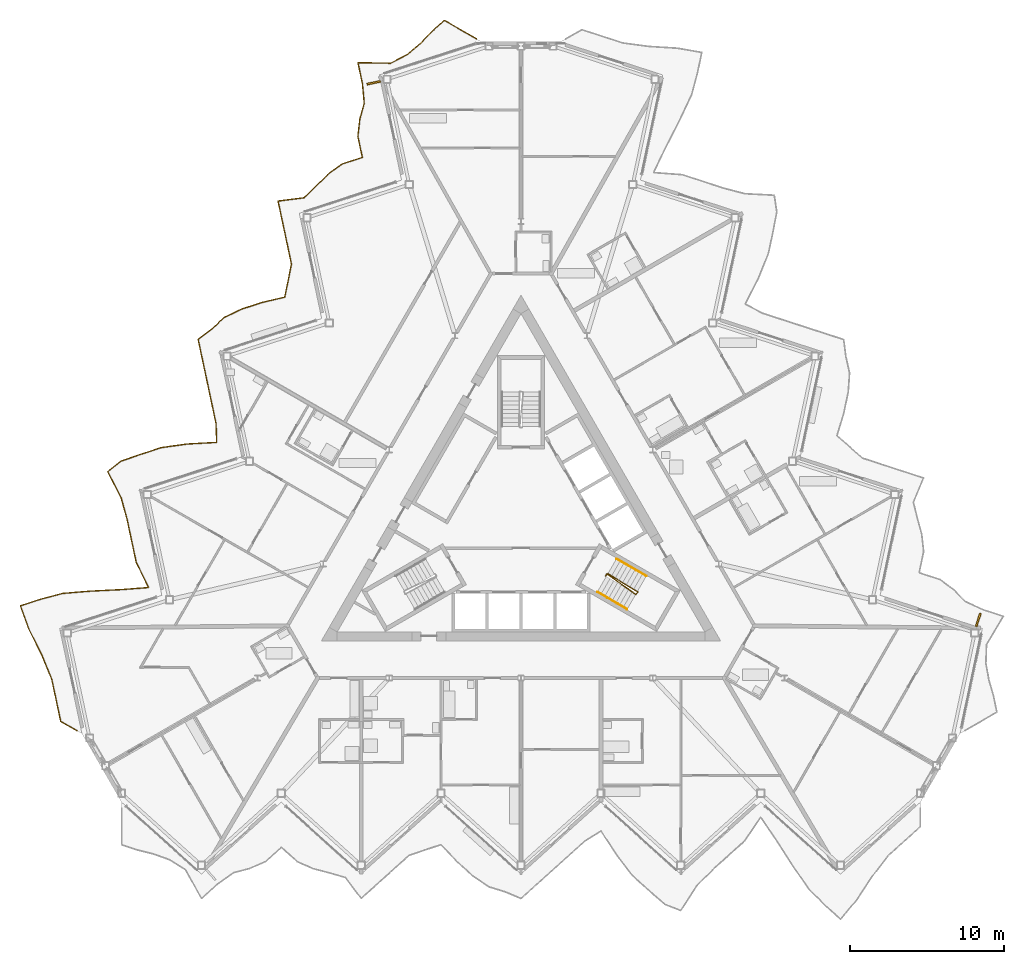
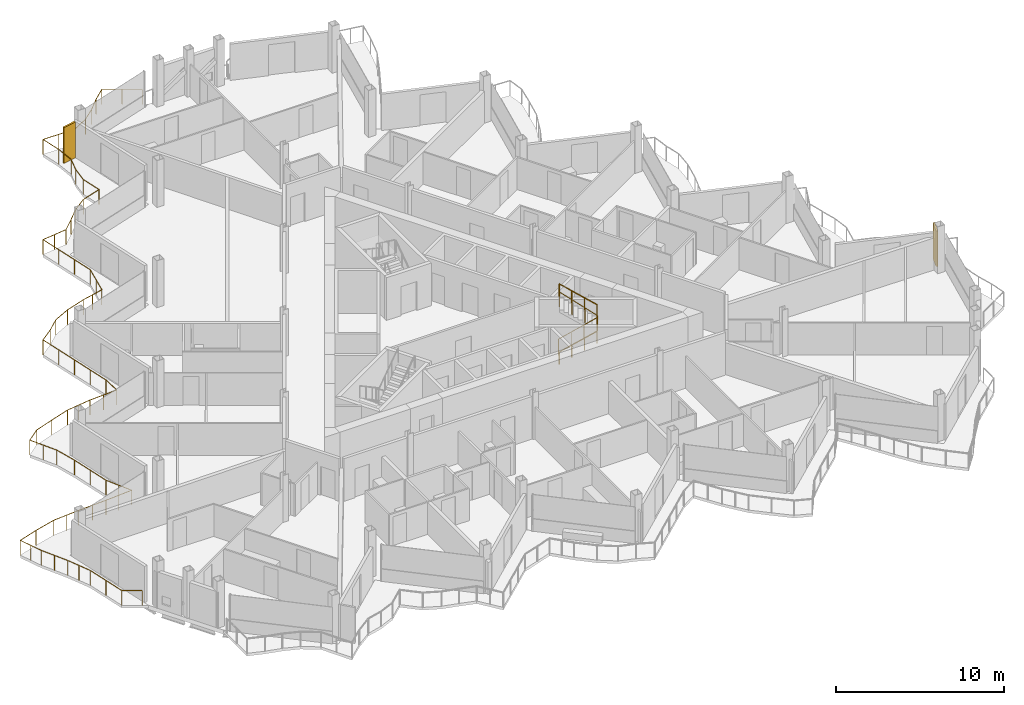
# One storey, part 23 of 26: 4 railings, 2 shading devices.
"""IFC4 building model written with IfcOpenShell, lengths in metres."""

from ifc_helpers import new_model, si_unit, direction, frame, origin, origin_2d, place, context, subcontext, project, spatial, rectangle, circle, extrude, material, layer, layer_set, type_object, element, save


model = new_model("IFC4")

# Units and contexts
model_context = context("Model", 3, precision=1e-05, world=origin(), true_north=direction((0.0, 1.0)))
body_context = subcontext(model_context, "Body", "Model", "MODEL_VIEW")
ifc_project = project(units=[si_unit("LENGTHUNIT", "METRE"), si_unit("AREAUNIT", "SQUARE_METRE"), si_unit("VOLUMEUNIT", "CUBIC_METRE"), si_unit("PLANEANGLEUNIT", "RADIAN"), si_unit("MASSUNIT", "GRAM", prefix="KILO")], contexts=[model_context])

# Site, building, storey
site_placement = place(None, origin())
site = spatial("IfcSite", under=ifc_project, at=site_placement, CompositionType="ELEMENT")
building_placement = place(site_placement, origin())
building = spatial("IfcBuilding", under=site, at=building_placement, Name="Cormorant Prow Tower", CompositionType="ELEMENT")
storey_placement = place(building_placement, frame((0.0, 0.0, 371.199951171875)))
storey = spatial("IfcBuildingStorey", under=building, at=storey_placement, Name="L83", CompositionType="ELEMENT", Elevation=371.199951171875)

# Railings
ifc_material_1 = material(Name="Aluminium 6063-T6", Category="aluminium")
railing_type_1 = type_object("IfcRailingType", Name="Balcony guard 1100", PredefinedType="GUARDRAIL", material=ifc_material_1)
railing_1_placement = place(storey_placement, frame((-2.9033203125, 31.698486328125, 0.0)))
element("IfcRailing", 1, at=railing_1_placement, inside=storey, type_object=railing_type_1, Name="Balcony guard WNW", PredefinedType="GUARDRAIL", context=body_context, shape_type="SweptSolid", body=[
    extrude(circle(Radius=0.02392578125, at=origin_2d()), frame((0.0, 0.0, 1.076171875), z_axis=(-0.866028295127, 0.499994992015, 0.0), x_axis=(-0.499994992015, -0.866028295127, 0.0)), (0.0, 0.0, 1.0), 2.40380859375),
    extrude(circle(Radius=0.02392578125, at=origin_2d()), frame((-2.081787109375, 1.201904296875, 1.076171875), z_axis=(-0.747028027556, -0.664792543615, 0.0), x_axis=(0.664792543615, -0.747028027556, 0.0)), (0.0, 0.0, 1.0), 1.095458984375),
    extrude(circle(Radius=0.02392578125, at=origin_2d()), frame((-2.900146484375, 0.4736328125, 1.076171875), z_axis=(-0.694236727025, -0.719746737992, 0.0), x_axis=(0.719746737992, -0.694236727025, 0.0)), (0.0, 0.0, 1.0), 1.07177734375),
    extrude(circle(Radius=0.02392578125, at=origin_2d()), frame((-3.644287109375, -0.2978515625, 1.076171875), z_axis=(-0.76253887215, -0.646942399647, 0.0), x_axis=(0.646942399647, -0.76253887215, 0.0)), (0.0, 0.0, 1.0), 1.1044921875),
    extrude(circle(Radius=0.02392578125, at=origin_2d()), frame((-4.486572265625, -1.012451171875, 1.076171875), z_axis=(-0.883594298779, -0.468253259641, 0.0), x_axis=(0.468253259641, -0.883594298779, 0.0)), (0.0, 0.0, 1.0), 1.227294921875),
    extrude(circle(Radius=0.02392578125, at=origin_2d()), frame((-5.571044921875, -1.587158203125, 1.076171875), z_axis=(-0.999868822817, 0.016196825558, 0.0), x_axis=(-0.016196825558, -0.999868822817, 0.0)), (0.0, 0.0, 1.0), 2.140380859375),
    extrude(circle(Radius=0.02392578125, at=origin_2d()), frame((-7.711181640625, -1.552490234375, 1.076171875), z_axis=(0.207812845083, -0.978168605823, 0.0), x_axis=(0.978168605823, 0.207812845083, 0.0)), (0.0, 0.0, 1.0), 1.399169921875),
    extrude(circle(Radius=0.02392578125, at=origin_2d()), frame((-7.42041015625, -2.921142578125, 1.076171875), z_axis=(0.092331865251, -0.995728289575, 0.0), x_axis=(0.995728289575, 0.092331865251, 0.0)), (0.0, 0.0, 1.0), 1.2744140625),
    extrude(circle(Radius=0.02392578125, at=origin_2d()), frame((-7.302734375, -4.190185546875, 1.076171875), z_axis=(-0.265615902579, -0.964078934682, 0.0), x_axis=(0.964078934682, -0.265615902579, 0.0)), (0.0, 0.0, 1.0), 1.074462890625),
    extrude(circle(Radius=0.02392578125, at=origin_2d()), frame((-7.588134765625, -5.22607421875, 1.076171875), z_axis=(-0.113242992784, -0.993567322624, 0.0), x_axis=(0.993567322624, -0.113242992784, 0.0)), (0.0, 0.0, 1.0), 1.134033203125),
    extrude(circle(Radius=0.02392578125, at=origin_2d()), frame((-7.716552734375, -6.352783203125, 1.076171875), z_axis=(0.207944297815, -0.978140669335, 0.0), x_axis=(0.978140669335, 0.207944297815, 0.0)), (0.0, 0.0, 1.0), 1.3994140625),
    extrude(circle(Radius=0.02392578125, at=origin_2d()), frame((-7.425537109375, -7.7216796875, 1.076171875), z_axis=(-0.951028941009, -0.309101849499, 0.0), x_axis=(0.309101849499, -0.951028941009, 0.0)), (0.0, 0.0, 1.0), 1.399658203125),
    extrude(circle(Radius=0.02392578125, at=origin_2d()), frame((-8.756591796875, -8.154296875, 1.076171875), z_axis=(-0.806097358344, -0.591782940672, 0.0), x_axis=(0.591782940672, -0.806097358344, 0.0)), (0.0, 0.0, 1.0), 1.1357421875),
    extrude(circle(Radius=0.02392578125, at=origin_2d()), frame((-9.672119140625, -8.826416015625, 1.076171875), z_axis=(-0.70254935374, -0.711635022718, 0.0), x_axis=(0.711635022718, -0.70254935374, 0.0)), (0.0, 0.0, 1.0), 1.074951171875),
    extrude(circle(Radius=0.02392578125, at=origin_2d()), frame((-10.42724609375, -9.59130859375, 1.076171875), z_axis=(-0.720069694102, -0.693901747825, 0.0), x_axis=(0.693901747825, -0.720069694102, 0.0)), (0.0, 0.0, 1.0), 1.082275390625),
    extrude(circle(Radius=0.02392578125, at=origin_2d()), frame((-11.20654296875, -10.34228515625, 1.076171875), z_axis=(-0.992011169579, -0.126150067104, 0.0), x_axis=(0.126150067104, -0.992011169579, 0.0)), (0.0, 0.0, 1.0), 1.718505859375),
    extrude(circle(Radius=0.02392578125, at=origin_2d()), frame((-12.911376953125, -10.55908203125, 1.076171875), z_axis=(0.207944297815, -0.978140669335, 0.0), x_axis=(0.978140669335, 0.207944297815, 0.0)), (0.0, 0.0, 1.0), 1.3994140625),
    extrude(circle(Radius=0.02392578125, at=origin_2d()), frame((-12.620361328125, -11.927978515625, 1.076171875), z_axis=(0.207944297815, -0.978140669335, 0.0), x_axis=(0.978140669335, 0.207944297815, 0.0)), (0.0, 0.0, 1.0), 1.3994140625),
    extrude(circle(Radius=0.02392578125, at=origin_2d()), frame((-12.329345703125, -13.296875, 1.076171875), z_axis=(0.207944297815, -0.978140669335, 0.0), x_axis=(0.978140669335, 0.207944297815, 0.0)), (0.0, 0.0, 1.0), 1.3994140625),
    extrude(circle(Radius=0.02392578125, at=origin_2d()), frame((-12.038330078125, -14.665771484375, 1.076171875), z_axis=(-0.198084601459, -0.980184926769, 0.0), x_axis=(0.980184926769, -0.198084601459, 0.0)), (0.0, 0.0, 1.0), 1.096923828125),
    extrude(circle(Radius=0.02392578125, at=origin_2d()), frame((-12.255615234375, -15.740966796875, 1.076171875), z_axis=(-0.203482527061, -0.979078577633, 0.0), x_axis=(0.979078577633, -0.203482527061, 0.0)), (0.0, 0.0, 1.0), 1.095458984375),
    extrude(circle(Radius=0.02392578125, at=origin_2d()), frame((-12.478515625, -16.8134765625, 1.076171875), z_axis=(-0.973469863135, -0.228815265154, 0.0), x_axis=(0.228815265154, -0.973469863135, 0.0)), (0.0, 0.0, 1.0), 1.518310546875),
    extrude(circle(Radius=0.02392578125, at=origin_2d()), frame((-13.95654296875, -17.160888671875, 1.076171875), z_axis=(-0.951080208938, -0.308944066403, 0.0), x_axis=(0.308944066403, -0.951080208938, 0.0)), (0.0, 0.0, 1.0), 1.3994140625),
    extrude(circle(Radius=0.02392578125, at=origin_2d()), frame((-15.28759765625, -17.59326171875, 1.076171875), z_axis=(-0.899160631428, -0.437618736905, 0.0), x_axis=(0.437618736905, -0.899160631428, 0.0)), (0.0, 0.0, 1.0), 1.255126953125),
    extrude(circle(Radius=0.02392578125, at=origin_2d()), frame((-16.416259765625, -18.142578125, 1.076171875), z_axis=(-0.733719269068, -0.679452746111, 0.0), x_axis=(0.679452746111, -0.733719269068, 0.0)), (0.0, 0.0, 1.0), 1.088623046875),
    extrude(circle(Radius=0.02392578125, at=origin_2d()), frame((-17.215087890625, -18.88232421875, 1.076171875), z_axis=(-0.795217846059, -0.606323822152, 0.0), x_axis=(0.606323822152, -0.795217846059, 0.0)), (0.0, 0.0, 1.0), 1.126953125),
    extrude(circle(Radius=0.02392578125, at=origin_2d()), frame((-18.111328125, -19.565673828125, 1.076171875), z_axis=(0.207944297815, -0.978140669335, 0.0), x_axis=(0.978140669335, 0.207944297815, 0.0)), (0.0, 0.0, 1.0), 1.3994140625),
    extrude(circle(Radius=0.02392578125, at=origin_2d()), frame((-17.8203125, -20.9345703125, 1.076171875), z_axis=(0.207944297815, -0.978140669335, 0.0), x_axis=(0.978140669335, 0.207944297815, 0.0)), (0.0, 0.0, 1.0), 1.3994140625),
    extrude(circle(Radius=0.02392578125, at=origin_2d()), frame((-17.529296875, -22.303466796875, 1.076171875), z_axis=(0.207944297815, -0.978140669335, 0.0), x_axis=(0.978140669335, 0.207944297815, 0.0)), (0.0, 0.0, 1.0), 1.3994140625),
    extrude(circle(Radius=0.02392578125, at=origin_2d()), frame((-17.23828125, -23.67236328125, 1.076171875), z_axis=(0.20777738218, -0.978176139279, 0.0), x_axis=(0.978176139279, 0.20777738218, 0.0)), (0.0, 0.0, 1.0), 1.3994140625),
    extrude(circle(Radius=0.02392578125, at=origin_2d()), frame((-16.947509765625, -25.041259765625, 1.076171875), z_axis=(0.031128847929, -0.999515379985, 0.0), x_axis=(0.999515379985, 0.031128847929, 0.0)), (0.0, 0.0, 1.0), 1.223388671875),
    extrude(circle(Radius=0.02392578125, at=origin_2d()), frame((-16.909423828125, -26.26416015625, 1.076171875), z_axis=(-0.998465882312, -0.05537040598, 0.0), x_axis=(0.05537040598, -0.998465882312, 0.0)), (0.0, 0.0, 1.0), 1.900390625),
    extrude(circle(Radius=0.02392578125, at=origin_2d()), frame((-18.806884765625, -26.369384765625, 1.076171875), z_axis=(-0.99070891835, -0.13599940846, 0.0), x_axis=(0.13599940846, -0.99070891835, 0.0)), (0.0, 0.0, 1.0), 1.696533203125),
    extrude(circle(Radius=0.02392578125, at=origin_2d()), frame((-20.487548828125, -26.60009765625, 1.076171875), z_axis=(-0.951063554534, -0.308995332064, 0.0), x_axis=(0.308995332064, -0.951063554534, 0.0)), (0.0, 0.0, 1.0), 1.399169921875),
    extrude(circle(Radius=0.02392578125, at=origin_2d()), frame((-21.818359375, -27.032470703125, 1.076171875), z_axis=(-0.945316455865, -0.326154561934, 0.0), x_axis=(0.326154561934, -0.945316455865, 0.0)), (0.0, 0.0, 1.0), 1.377197265625),
    extrude(circle(Radius=0.02392578125, at=origin_2d()), frame((-23.120361328125, -27.481689453125, 1.076171875), z_axis=(-0.781124687772, -0.624375065288, 0.0), x_axis=(0.624375065288, -0.781124687772, 0.0)), (0.0, 0.0, 1.0), 1.11669921875),
    extrude(circle(Radius=0.02392578125, at=origin_2d()), frame((-23.99267578125, -28.178955078125, 1.076171875), z_axis=(0.456008801075, -0.889975265579, 0.0), x_axis=(0.889975265579, 0.456008801075, 0.0)), (0.0, 0.0, 1.0), 1.916259765625),
    extrude(circle(Radius=0.02392578125, at=origin_2d()), frame((-23.118896484375, -29.88427734375, 1.076171875), z_axis=(0.263466814017, -0.9646684601, 0.0), x_axis=(0.9646684601, 0.263466814017, 0.0)), (0.0, 0.0, 1.0), 1.47802734375),
    extrude(circle(Radius=0.02392578125, at=origin_2d()), frame((-22.7294921875, -31.31005859375, 1.076171875), z_axis=(0.207944297815, -0.978140669335, 0.0), x_axis=(0.978140669335, 0.207944297815, 0.0)), (0.0, 0.0, 1.0), 1.3994140625),
    extrude(circle(Radius=0.02392578125, at=origin_2d()), frame((-22.4384765625, -32.678955078125, 1.076171875), z_axis=(0.207944297815, -0.978140669335, 0.0), x_axis=(0.978140669335, 0.207944297815, 0.0)), (0.0, 0.0, 1.0), 1.3994140625),
    extrude(circle(Radius=0.02392578125, at=origin_2d()), frame((-22.1474609375, -34.0478515625, 1.076171875), z_axis=(0.434486752243, -0.90067822341, 0.0), x_axis=(0.90067822341, 0.434486752243, 0.0)), (0.0, 0.0, 1.0), 1.84814453125),
    extrude(circle(Radius=0.02392578125, at=origin_2d()), frame((-21.344482421875, -35.71240234375, 1.076171875), z_axis=(-0.997204239549, -0.074724190364, 0.0), x_axis=(0.074724190364, -0.997204239549, 0.0)), (0.0, 0.0, 1.0), 1.845947265625),
    extrude(circle(Radius=0.02392578125, at=origin_2d()), frame((-23.185302734375, -35.850341796875, 1.076171875), z_axis=(-0.998814010326, -0.048688528186, 0.0), x_axis=(0.048688528186, -0.998814010326, 0.0)), (0.0, 0.0, 1.0), 1.92041015625),
    extrude(circle(Radius=0.02392578125, at=origin_2d()), frame((-25.103515625, -35.94384765625, 1.076171875), z_axis=(-0.996687929832, -0.081321402635, 0.0), x_axis=(0.081321402635, -0.996687929832, 0.0)), (0.0, 0.0, 1.0), 1.828369140625),
    extrude(circle(Radius=0.02392578125, at=origin_2d()), frame((-26.92578125, -36.092529296875, 1.076171875), z_axis=(-0.966314659055, -0.257363516637, 0.0), x_axis=(0.257363516637, -0.966314659055, 0.0)), (0.0, 0.0, 1.0), 1.47314453125),
    extrude(circle(Radius=0.02392578125, at=origin_2d()), frame((-28.349365234375, -36.4716796875, 1.076171875), z_axis=(-0.951080208938, -0.308944066403, 0.0), x_axis=(0.308944066403, -0.951080208938, 0.0)), (0.0, 0.0, 1.0), 1.3994140625),
    extrude(circle(Radius=0.02392578125, at=origin_2d()), frame((-29.680419921875, -36.904052734375, 1.076171875), z_axis=(0.34291675065, -0.939365797825, 0.0), x_axis=(0.939365797825, 0.34291675065, 0.0)), (0.0, 0.0, 1.0), 1.61962890625),
    extrude(circle(Radius=0.02392578125, at=origin_2d()), frame((-29.125, -38.425537109375, 1.076171875), z_axis=(0.445968959957, -0.895048427045, 0.0), x_axis=(0.895048427045, 0.445968959957, 0.0)), (0.0, 0.0, 1.0), 1.8837890625),
    extrude(circle(Radius=0.02392578125, at=origin_2d()), frame((-28.284912109375, -40.111572265625, 1.076171875), z_axis=(0.379883781197, -0.925034222493, 0.0), x_axis=(0.925034222493, 0.379883781197, 0.0)), (0.0, 0.0, 1.0), 1.701904296875),
    extrude(circle(Radius=0.02392578125, at=origin_2d()), frame((-27.638427734375, -41.685791015625, 1.076171875), z_axis=(0.207979786632, -0.978133124044, 0.0), x_axis=(0.978133124044, 0.207979786632, 0.0)), (0.0, 0.0, 1.0), 1.399169921875),
    extrude(circle(Radius=0.02392578125, at=origin_2d()), frame((-27.347412109375, -43.054443359375, 1.076171875), z_axis=(0.207944297815, -0.978140669335, 0.0), x_axis=(0.978140669335, 0.207944297815, 0.0)), (0.0, 0.0, 1.0), 1.3994140625),
    extrude(circle(Radius=0.02392578125, at=origin_2d()), frame((-27.056396484375, -44.42333984375, 1.076171875), z_axis=(0.865955602162, -0.500120880472, 0.0), x_axis=(0.500120880472, 0.865955602162, 0.0)), (0.0, 0.0, 1.0), 1.219970703125),
    extrude(circle(Radius=0.02099609375, at=origin_2d()), origin(), (0.0, 0.0, 1.0), 1.052001953125),
    extrude(circle(Radius=0.02099609375, at=origin_2d()), frame((-1.041015625, 0.60107421875, 0.0)), (0.0, 0.0, 1.0), 1.052001953125),
    extrude(circle(Radius=0.02099609375, at=origin_2d()), frame((-2.081787109375, 1.201904296875, 0.0)), (0.0, 0.0, 1.0), 1.052001953125),
    extrude(circle(Radius=0.02099609375, at=origin_2d()), frame((-2.900146484375, 0.4736328125, 0.0)), (0.0, 0.0, 1.0), 1.052001953125),
    extrude(circle(Radius=0.02099609375, at=origin_2d()), frame((-3.644287109375, -0.2978515625, 0.0)), (0.0, 0.0, 1.0), 1.052001953125),
    extrude(circle(Radius=0.02099609375, at=origin_2d()), frame((-4.486572265625, -1.012451171875, 0.0)), (0.0, 0.0, 1.0), 1.052001953125),
    extrude(circle(Radius=0.02099609375, at=origin_2d()), frame((-5.571044921875, -1.587158203125, 0.0)), (0.0, 0.0, 1.0), 1.052001953125),
    extrude(circle(Radius=0.02099609375, at=origin_2d()), frame((-6.64111328125, -1.56982421875, 0.0)), (0.0, 0.0, 1.0), 1.052001953125),
    extrude(circle(Radius=0.02099609375, at=origin_2d()), frame((-7.711181640625, -1.552490234375, 0.0)), (0.0, 0.0, 1.0), 1.052001953125),
    extrude(circle(Radius=0.02099609375, at=origin_2d()), frame((-7.42041015625, -2.921142578125, 0.0)), (0.0, 0.0, 1.0), 1.052001953125),
    extrude(circle(Radius=0.02099609375, at=origin_2d()), frame((-7.302734375, -4.190185546875, 0.0)), (0.0, 0.0, 1.0), 1.052001953125),
    extrude(circle(Radius=0.02099609375, at=origin_2d()), frame((-7.588134765625, -5.22607421875, 0.0)), (0.0, 0.0, 1.0), 1.052001953125),
    extrude(circle(Radius=0.02099609375, at=origin_2d()), frame((-7.716552734375, -6.352783203125, 0.0)), (0.0, 0.0, 1.0), 1.052001953125),
    extrude(circle(Radius=0.02099609375, at=origin_2d()), frame((-7.425537109375, -7.7216796875, 0.0)), (0.0, 0.0, 1.0), 1.052001953125),
    extrude(circle(Radius=0.02099609375, at=origin_2d()), frame((-8.756591796875, -8.154296875, 0.0)), (0.0, 0.0, 1.0), 1.052001953125),
    extrude(circle(Radius=0.02099609375, at=origin_2d()), frame((-9.672119140625, -8.826416015625, 0.0)), (0.0, 0.0, 1.0), 1.052001953125),
    extrude(circle(Radius=0.02099609375, at=origin_2d()), frame((-10.42724609375, -9.59130859375, 0.0)), (0.0, 0.0, 1.0), 1.052001953125),
    extrude(circle(Radius=0.02099609375, at=origin_2d()), frame((-11.20654296875, -10.34228515625, 0.0)), (0.0, 0.0, 1.0), 1.052001953125),
    extrude(circle(Radius=0.02099609375, at=origin_2d()), frame((-12.05908203125, -10.45068359375, 0.0)), (0.0, 0.0, 1.0), 1.052001953125),
    extrude(circle(Radius=0.02099609375, at=origin_2d()), frame((-12.911376953125, -10.55908203125, 0.0)), (0.0, 0.0, 1.0), 1.052001953125),
    extrude(circle(Radius=0.02099609375, at=origin_2d()), frame((-12.620361328125, -11.927978515625, 0.0)), (0.0, 0.0, 1.0), 1.052001953125),
    extrude(circle(Radius=0.02099609375, at=origin_2d()), frame((-12.329345703125, -13.296875, 0.0)), (0.0, 0.0, 1.0), 1.052001953125),
    extrude(circle(Radius=0.02099609375, at=origin_2d()), frame((-12.038330078125, -14.665771484375, 0.0)), (0.0, 0.0, 1.0), 1.052001953125),
    extrude(circle(Radius=0.02099609375, at=origin_2d()), frame((-12.255615234375, -15.740966796875, 0.0)), (0.0, 0.0, 1.0), 1.052001953125),
    extrude(circle(Radius=0.02099609375, at=origin_2d()), frame((-12.478515625, -16.8134765625, 0.0)), (0.0, 0.0, 1.0), 1.052001953125),
    extrude(circle(Radius=0.02099609375, at=origin_2d()), frame((-13.217529296875, -16.9873046875, 0.0)), (0.0, 0.0, 1.0), 1.052001953125),
    extrude(circle(Radius=0.02099609375, at=origin_2d()), frame((-13.95654296875, -17.160888671875, 0.0)), (0.0, 0.0, 1.0), 1.052001953125),
    extrude(circle(Radius=0.02099609375, at=origin_2d()), frame((-15.28759765625, -17.59326171875, 0.0)), (0.0, 0.0, 1.0), 1.052001953125),
    extrude(circle(Radius=0.02099609375, at=origin_2d()), frame((-16.416259765625, -18.142578125, 0.0)), (0.0, 0.0, 1.0), 1.052001953125),
    extrude(circle(Radius=0.02099609375, at=origin_2d()), frame((-17.215087890625, -18.88232421875, 0.0)), (0.0, 0.0, 1.0), 1.052001953125),
    extrude(circle(Radius=0.02099609375, at=origin_2d()), frame((-18.111328125, -19.565673828125, 0.0)), (0.0, 0.0, 1.0), 1.052001953125),
    extrude(circle(Radius=0.02099609375, at=origin_2d()), frame((-17.8203125, -20.9345703125, 0.0)), (0.0, 0.0, 1.0), 1.052001953125),
    extrude(circle(Radius=0.02099609375, at=origin_2d()), frame((-17.529296875, -22.303466796875, 0.0)), (0.0, 0.0, 1.0), 1.052001953125),
    extrude(circle(Radius=0.02099609375, at=origin_2d()), frame((-17.23828125, -23.67236328125, 0.0)), (0.0, 0.0, 1.0), 1.052001953125),
    extrude(circle(Radius=0.02099609375, at=origin_2d()), frame((-16.947509765625, -25.041259765625, 0.0)), (0.0, 0.0, 1.0), 1.052001953125),
    extrude(circle(Radius=0.02099609375, at=origin_2d()), frame((-16.909423828125, -26.26416015625, 0.0)), (0.0, 0.0, 1.0), 1.052001953125),
    extrude(circle(Radius=0.02099609375, at=origin_2d()), frame((-17.858154296875, -26.31689453125, 0.0)), (0.0, 0.0, 1.0), 1.052001953125),
    extrude(circle(Radius=0.02099609375, at=origin_2d()), frame((-18.806884765625, -26.369384765625, 0.0)), (0.0, 0.0, 1.0), 1.052001953125),
    extrude(circle(Radius=0.02099609375, at=origin_2d()), frame((-19.647216796875, -26.48486328125, 0.0)), (0.0, 0.0, 1.0), 1.052001953125),
    extrude(circle(Radius=0.02099609375, at=origin_2d()), frame((-20.487548828125, -26.60009765625, 0.0)), (0.0, 0.0, 1.0), 1.052001953125),
    extrude(circle(Radius=0.02099609375, at=origin_2d()), frame((-21.818359375, -27.032470703125, 0.0)), (0.0, 0.0, 1.0), 1.052001953125),
    extrude(circle(Radius=0.02099609375, at=origin_2d()), frame((-23.120361328125, -27.481689453125, 0.0)), (0.0, 0.0, 1.0), 1.052001953125),
    extrude(circle(Radius=0.02099609375, at=origin_2d()), frame((-23.99267578125, -28.178955078125, 0.0)), (0.0, 0.0, 1.0), 1.052001953125),
    extrude(circle(Radius=0.02099609375, at=origin_2d()), frame((-23.5556640625, -29.03173828125, 0.0)), (0.0, 0.0, 1.0), 1.052001953125),
    extrude(circle(Radius=0.02099609375, at=origin_2d()), frame((-23.118896484375, -29.88427734375, 0.0)), (0.0, 0.0, 1.0), 1.052001953125),
    extrude(circle(Radius=0.02099609375, at=origin_2d()), frame((-22.7294921875, -31.31005859375, 0.0)), (0.0, 0.0, 1.0), 1.052001953125),
    extrude(circle(Radius=0.02099609375, at=origin_2d()), frame((-22.4384765625, -32.678955078125, 0.0)), (0.0, 0.0, 1.0), 1.052001953125),
    extrude(circle(Radius=0.02099609375, at=origin_2d()), frame((-22.1474609375, -34.0478515625, 0.0)), (0.0, 0.0, 1.0), 1.052001953125),
    extrude(circle(Radius=0.02099609375, at=origin_2d()), frame((-21.74609375, -34.880126953125, 0.0)), (0.0, 0.0, 1.0), 1.052001953125),
    extrude(circle(Radius=0.02099609375, at=origin_2d()), frame((-21.344482421875, -35.71240234375, 0.0)), (0.0, 0.0, 1.0), 1.052001953125),
    extrude(circle(Radius=0.02099609375, at=origin_2d()), frame((-22.264892578125, -35.78125, 0.0)), (0.0, 0.0, 1.0), 1.052001953125),
    extrude(circle(Radius=0.02099609375, at=origin_2d()), frame((-23.185302734375, -35.850341796875, 0.0)), (0.0, 0.0, 1.0), 1.052001953125),
    extrude(circle(Radius=0.02099609375, at=origin_2d()), frame((-24.14453125, -35.89697265625, 0.0)), (0.0, 0.0, 1.0), 1.052001953125),
    extrude(circle(Radius=0.02099609375, at=origin_2d()), frame((-25.103515625, -35.94384765625, 0.0)), (0.0, 0.0, 1.0), 1.052001953125),
    extrude(circle(Radius=0.02099609375, at=origin_2d()), frame((-26.0146484375, -36.01806640625, 0.0)), (0.0, 0.0, 1.0), 1.052001953125),
    extrude(circle(Radius=0.02099609375, at=origin_2d()), frame((-26.92578125, -36.092529296875, 0.0)), (0.0, 0.0, 1.0), 1.052001953125),
    extrude(circle(Radius=0.02099609375, at=origin_2d()), frame((-28.349365234375, -36.4716796875, 0.0)), (0.0, 0.0, 1.0), 1.052001953125),
    extrude(circle(Radius=0.02099609375, at=origin_2d()), frame((-29.680419921875, -36.904052734375, 0.0)), (0.0, 0.0, 1.0), 1.052001953125),
    extrude(circle(Radius=0.02099609375, at=origin_2d()), frame((-29.40283203125, -37.664794921875, 0.0)), (0.0, 0.0, 1.0), 1.052001953125),
    extrude(circle(Radius=0.02099609375, at=origin_2d()), frame((-29.125, -38.425537109375, 0.0)), (0.0, 0.0, 1.0), 1.052001953125),
    extrude(circle(Radius=0.02099609375, at=origin_2d()), frame((-28.705078125, -39.2685546875, 0.0)), (0.0, 0.0, 1.0), 1.052001953125),
    extrude(circle(Radius=0.02099609375, at=origin_2d()), frame((-28.284912109375, -40.111572265625, 0.0)), (0.0, 0.0, 1.0), 1.052001953125),
    extrude(circle(Radius=0.02099609375, at=origin_2d()), frame((-27.961669921875, -40.898681640625, 0.0)), (0.0, 0.0, 1.0), 1.052001953125),
    extrude(circle(Radius=0.02099609375, at=origin_2d()), frame((-27.638427734375, -41.685791015625, 0.0)), (0.0, 0.0, 1.0), 1.052001953125),
    extrude(circle(Radius=0.02099609375, at=origin_2d()), frame((-27.347412109375, -43.054443359375, 0.0)), (0.0, 0.0, 1.0), 1.052001953125),
    extrude(circle(Radius=0.02099609375, at=origin_2d()), frame((-27.056396484375, -44.42333984375, 0.0)), (0.0, 0.0, 1.0), 1.052001953125),
    extrude(circle(Radius=0.02099609375, at=origin_2d()), frame((-26.0, -45.033447265625, 0.0)), (0.0, 0.0, 1.0), 1.052001953125),
])
ifc_material_2 = material(Name="Stainless steel", Category="steel")
railing_type_2 = type_object("IfcRailingType", Name="Stair guard 1100", PredefinedType="GUARDRAIL", material=ifc_material_2)
railing_2_placement = place(storey_placement, frame((5.510009765625, -3.267822265625, 0.0)))
element("IfcRailing", 2, at=railing_2_placement, inside=storey, type_object=railing_type_2, Name="L83 ST2 stair guard 1", PredefinedType="GUARDRAIL", context=body_context, shape_type="SweptSolid", body=[
    extrude(circle(Radius=0.02392578125, at=origin_2d()), frame((0.0, 0.0, 1.076171875), z_axis=(0.501036270542, 0.865426285481, 0.0), x_axis=(-0.865426285481, 0.501036270542, 0.0)), (0.0, 0.0, 1.0), 0.150146484375),
    extrude(circle(Radius=0.02392578125, at=origin_2d()), frame((0.0751953125, 0.1298828125, 1.076171875), z_axis=(0.658670593711, -0.461060875852, 0.594622500196), x_axis=(0.573455215813, 0.819236910458, 0.0)), (0.0, 0.0, 1.0), 2.85888671875),
    extrude(circle(Radius=0.02392578125, at=origin_2d()), frame((1.958251953125, -1.188232421875, 2.77587890625), z_axis=(0.695164929852, 0.718850276695, 0.0), x_axis=(-0.718850276695, 0.695164929852, 0.0)), (0.0, 0.0, 1.0), 0.2060546875),
    extrude(circle(Radius=0.02392578125, at=origin_2d()), frame((2.1015625, -1.0400390625, 2.77587890625), z_axis=(-0.686480346808, 0.416544052851, 0.596016598326), x_axis=(-0.518752825935, -0.854924268918, 0.0)), (0.0, 0.0, 1.0), 2.8525390625),
    extrude(circle(Radius=0.02099609375, at=origin_2d()), origin(), (0.0, 0.0, 1.0), 1.052001953125),
    extrude(circle(Radius=0.02099609375, at=origin_2d()), frame((0.0751953125, 0.1298828125, 0.0)), (0.0, 0.0, 1.0), 1.052001953125),
    extrude(circle(Radius=0.02099609375, at=origin_2d()), frame((0.702880859375, -0.3095703125, 0.566650390625)), (0.0, 0.0, 1.0), 1.052001953125),
    extrude(circle(Radius=0.02099609375, at=origin_2d()), frame((1.33056640625, -0.748779296875, 1.13330078125)), (0.0, 0.0, 1.0), 1.052001953125),
    extrude(circle(Radius=0.02099609375, at=origin_2d()), frame((1.958251953125, -1.188232421875, 1.699951171875)), (0.0, 0.0, 1.0), 1.052001953125),
    extrude(circle(Radius=0.02099609375, at=origin_2d()), frame((2.1015625, -1.0400390625, 1.699951171875)), (0.0, 0.0, 1.0), 1.052001953125),
    extrude(circle(Radius=0.02099609375, at=origin_2d()), frame((1.44873046875, -0.64404296875, 2.2666015625)), (0.0, 0.0, 1.0), 1.052001953125),
    extrude(circle(Radius=0.02099609375, at=origin_2d()), frame((0.796142578125, -0.247802734375, 2.83349609375)), (0.0, 0.0, 1.0), 1.052001953125),
    extrude(circle(Radius=0.02099609375, at=origin_2d()), frame((0.143310546875, 0.148193359375, 3.400146484375)), (0.0, 0.0, 1.0), 1.052001953125),
])
ifc_material_3 = material(Name="Stainless steel", Category="steel")
railing_type_3 = type_object("IfcRailingType", Name="Stair handrail 900", PredefinedType="HANDRAIL", material=ifc_material_3)
railing_3_placement = place(storey_placement, frame((4.968994140625, -4.30517578125, 0.18896484375)))
element("IfcRailing", 3, at=railing_3_placement, inside=storey, type_object=railing_type_3, Name="L83 ST2 stair handrail 1", PredefinedType="HANDRAIL", context=body_context, shape_type="SweptSolid", body=[
    extrude(circle(Radius=0.02392578125, at=origin_2d()), frame((0.0, 0.0, 0.8759765625), z_axis=(0.71790592183, -0.414569209485, 0.559234707389), x_axis=(0.500077830873, 0.865980463445, 0.0)), (0.0, 0.0, 1.0), 2.701904296875),
    extrude(circle(Radius=0.02099609375, at=origin_2d()), origin(), (0.0, 0.0, 1.0), 0.851806640625),
    extrude(circle(Radius=0.02099609375, at=origin_2d()), frame((0.646484375, -0.373291015625, 0.503662109375)), (0.0, 0.0, 1.0), 0.851806640625),
    extrude(circle(Radius=0.02099609375, at=origin_2d()), frame((1.293212890625, -0.746826171875, 1.00732421875)), (0.0, 0.0, 1.0), 0.851806640625),
    extrude(circle(Radius=0.02099609375, at=origin_2d()), frame((1.939697265625, -1.1201171875, 1.510986328125)), (0.0, 0.0, 1.0), 0.851806640625),
])
railing_4_placement = place(storey_placement, frame((8.15283203125, -3.2705078125, 1.888916015625)))
element("IfcRailing", 4, at=railing_4_placement, inside=storey, type_object=railing_type_3, Name="L83 ST2 stair handrail 2", PredefinedType="HANDRAIL", context=body_context, shape_type="SweptSolid", body=[
    extrude(circle(Radius=0.02392578125, at=origin_2d()), frame((0.0, 0.0, 0.8759765625), z_axis=(-0.717940317343, 0.414446543626, 0.55928147047), x_axis=(-0.49994888933, -0.866054910533, 0.0)), (0.0, 0.0, 1.0), 2.7021484375),
    extrude(circle(Radius=0.02099609375, at=origin_2d()), origin(), (0.0, 0.0, 1.0), 0.851806640625),
    extrude(circle(Radius=0.02099609375, at=origin_2d()), frame((-0.646728515625, 0.373291015625, 0.503662109375)), (0.0, 0.0, 1.0), 0.851806640625),
    extrude(circle(Radius=0.02099609375, at=origin_2d()), frame((-1.293212890625, 0.74658203125, 1.007568359375)), (0.0, 0.0, 1.0), 0.851806640625),
    extrude(circle(Radius=0.02099609375, at=origin_2d()), frame((-1.93994140625, 1.119873046875, 1.51123046875)), (0.0, 0.0, 1.0), 0.851806640625),
])

# Shading devices
ifc_material_4 = material(Name="Terracotta", Category="masonry")
ifc_layer = layer(ifc_material_4, 0.1201171875)
ifc_layer_set = layer_set([ifc_layer], Name="Terracotta")
shading_device_type = type_object("IfcShadingDeviceType", Name="Terracotta baguette fin 120x900x2600", PredefinedType="USERDEFINED", material=ifc_layer_set)
for number, where, z_axis, x_axis, name in (
    (5, (29.762939453125, -6.120849609375, 0.0), (0.0, 0.0, 1.0), (-0.951056492904, 0.309017066365, 0.0), "Baguette fin ENE01"),
    (6, (-9.58056640625, 28.8359375, 0.0), (0.0, 0.0, 1.0), (0.207911649162, -0.978147609588, 0.0), "Baguette fin WNW01"),
):
    element("IfcShadingDevice", number, at=place(storey_placement, frame(where, z_axis=z_axis, x_axis=x_axis)), inside=storey, type_object=shading_device_type, Name=name, ObjectType="BAGUETTE", PredefinedType="USERDEFINED", context=body_context, shape_type="SweptSolid", body=[
        extrude(rectangle(XDim=0.1201171875, YDim=0.89990234375, at=origin_2d()), origin(), (0.0, 0.0, 1.0), 2.60009765625),
    ])

save(model, "model.ifc")
